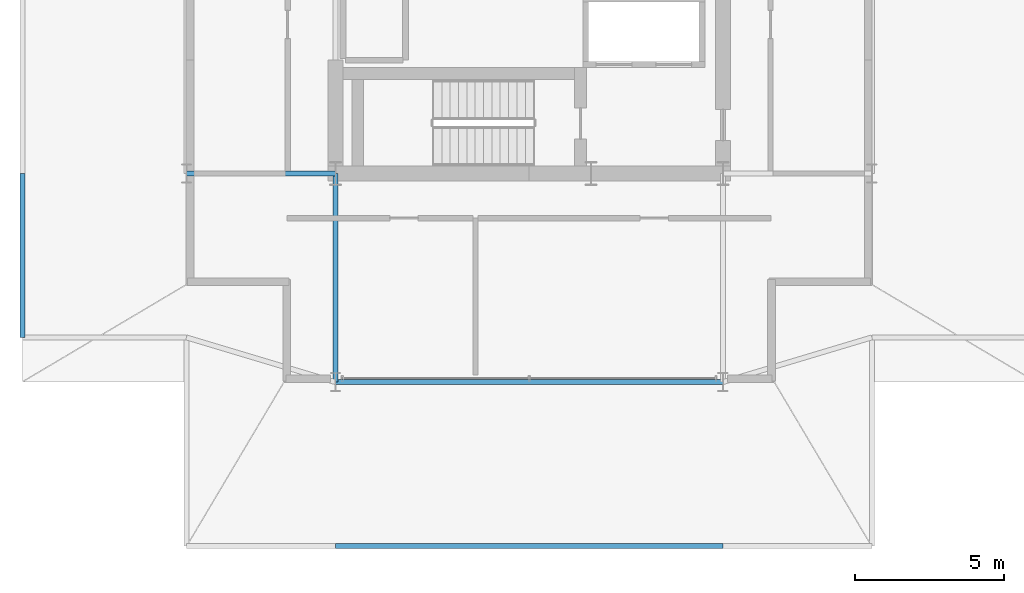
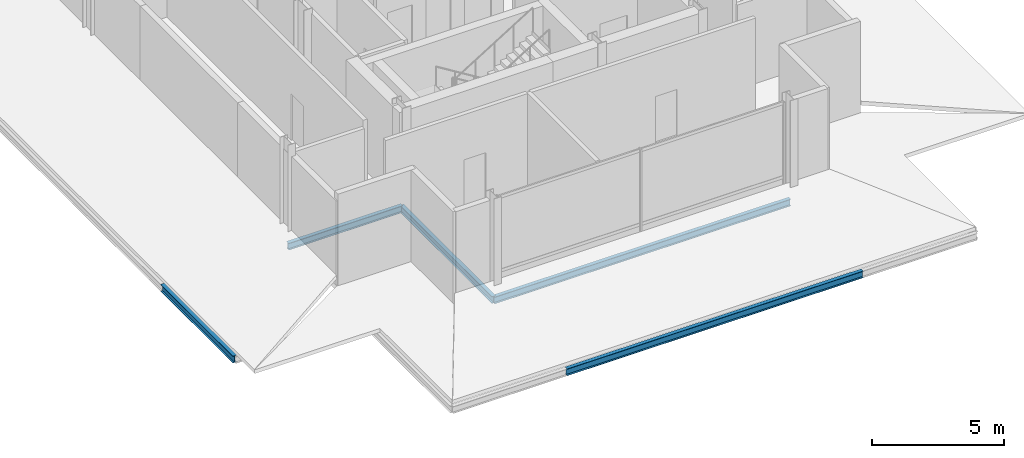
# One storey, part 3 of 9: 5 beams.
"""IFC4 building model written with IfcOpenShell, lengths in metres."""

from ifc_helpers import new_model, si_unit, direction, frame, origin, origin_2d, place, context, subcontext, project, spatial, i_section, extrude, material, material_profile, profile_set, type_object, element, save


model = new_model("IFC4")

# Units and contexts
model_context = context("Model", 3, precision=1e-05, world=origin(), true_north=direction((0.0, 1.0)))
body_context = subcontext(model_context, "Body", "Model", "MODEL_VIEW")
ifc_project = project(units=[si_unit("LENGTHUNIT", "METRE"), si_unit("AREAUNIT", "SQUARE_METRE"), si_unit("VOLUMEUNIT", "CUBIC_METRE"), si_unit("PLANEANGLEUNIT", "RADIAN"), si_unit("MASSUNIT", "GRAM", prefix="KILO")], contexts=[model_context])

# Site, building, storey
site_placement = place(None, origin())
site = spatial("IfcSite", under=ifc_project, at=site_placement, CompositionType="ELEMENT")
building_placement = place(site_placement, origin())
building = spatial("IfcBuilding", under=site, at=building_placement, Name="Barlavira Tower and Art Museum", CompositionType="ELEMENT")
storey_placement = place(building_placement, frame((0.0, 0.0, 309.89990234375)))
storey = spatial("IfcBuildingStorey", under=building, at=storey_placement, Name="L81", CompositionType="ELEMENT", Elevation=309.89990234375)

# Beams
ifc_material = material(Name="Steel S355", Category="steel")
ifc_material_profile = material_profile(ifc_material, i_section(OverallWidth=0.1669921875, OverallDepth=0.31689453125, WebThickness=0.007568359375, FlangeThickness=0.01318359375, at=origin_2d()), Name="W310x52.0")
ifc_profile_set = profile_set([ifc_material_profile], Name="Steel S355")
beam_type = type_object("IfcBeamType", Name="Crown Floor Joist W310x52 Steel S355", PredefinedType="JOIST", material=ifc_profile_set)
beam_1_placement = place(storey_placement, frame((-6.5, -14.5, -0.408447265625), z_axis=(1.0, 0.0, 0.0), x_axis=(0.0, 1.0, 0.0)))
element("IfcBeam", 1, at=beam_1_placement, inside=storey, type_object=beam_type, Name="L81 Crown Ring Beam CS", PredefinedType="JOIST", context=body_context, shape_type="SweptSolid", body=[
    extrude(i_section(OverallWidth=0.1669921875, OverallDepth=0.31689453125, WebThickness=0.007568359375, FlangeThickness=0.01318359375, at=origin_2d()), origin(), (0.0, 0.0, 1.0), 13.0),
])
beam_2_placement = place(storey_placement, frame((-6.5, -14.5, -0.408447265625), z_axis=(0.0, 1.0, 0.0), x_axis=(-1.0, 0.0, 0.0)))
element("IfcBeam", 2, at=beam_2_placement, inside=storey, type_object=beam_type, Name="L81 Crown Ring Beam CSL", PredefinedType="JOIST", context=body_context, shape_type="SweptSolid", body=[
    extrude(i_section(OverallWidth=0.1669921875, OverallDepth=0.31689453125, WebThickness=0.007568359375, FlangeThickness=0.01318359375, at=origin_2d()), origin(), (0.0, 0.0, 1.0), 7.0),
])
beam_3_placement = place(storey_placement, frame((-11.5, -7.5, -0.408447265625), z_axis=(1.0, 0.0, 0.0), x_axis=(0.0, 1.0, 0.0)))
element("IfcBeam", 3, at=beam_3_placement, inside=storey, type_object=beam_type, Name="L81 Crown Ring Beam CWL", PredefinedType="JOIST", context=body_context, shape_type="SweptSolid", body=[
    extrude(i_section(OverallWidth=0.1669921875, OverallDepth=0.31689453125, WebThickness=0.007568359375, FlangeThickness=0.01318359375, at=origin_2d()), origin(), (0.0, 0.0, 1.0), 5.0),
])
beam_4_placement = place(storey_placement, frame((-6.5, -20.0, -0.408447265625), z_axis=(1.0, 0.0, 0.0), x_axis=(0.0, 1.0, 0.0)))
element("IfcBeam", 4, at=beam_4_placement, inside=storey, type_object=beam_type, Name="L81 Lookout Canopy Ring Beam CANS2", PredefinedType="JOIST", context=body_context, shape_type="SweptSolid", body=[
    extrude(i_section(OverallWidth=0.1669921875, OverallDepth=0.31689453125, WebThickness=0.007568359375, FlangeThickness=0.01318359375, at=origin_2d()), origin(), (0.0, 0.0, 1.0), 13.0),
])
beam_5_placement = place(storey_placement, frame((-17.0, -13.0, -0.408447265625), z_axis=(0.0, 1.0, 0.0), x_axis=(-1.0, 0.0, 0.0)))
element("IfcBeam", 5, at=beam_5_placement, inside=storey, type_object=beam_type, Name="L81 Lookout Canopy Ring Beam CANW1", PredefinedType="JOIST", context=body_context, shape_type="SweptSolid", body=[
    extrude(i_section(OverallWidth=0.1669921875, OverallDepth=0.31689453125, WebThickness=0.007568359375, FlangeThickness=0.01318359375, at=origin_2d()), origin(), (0.0, 0.0, 1.0), 5.5),
])

save(model, "model.ifc")
